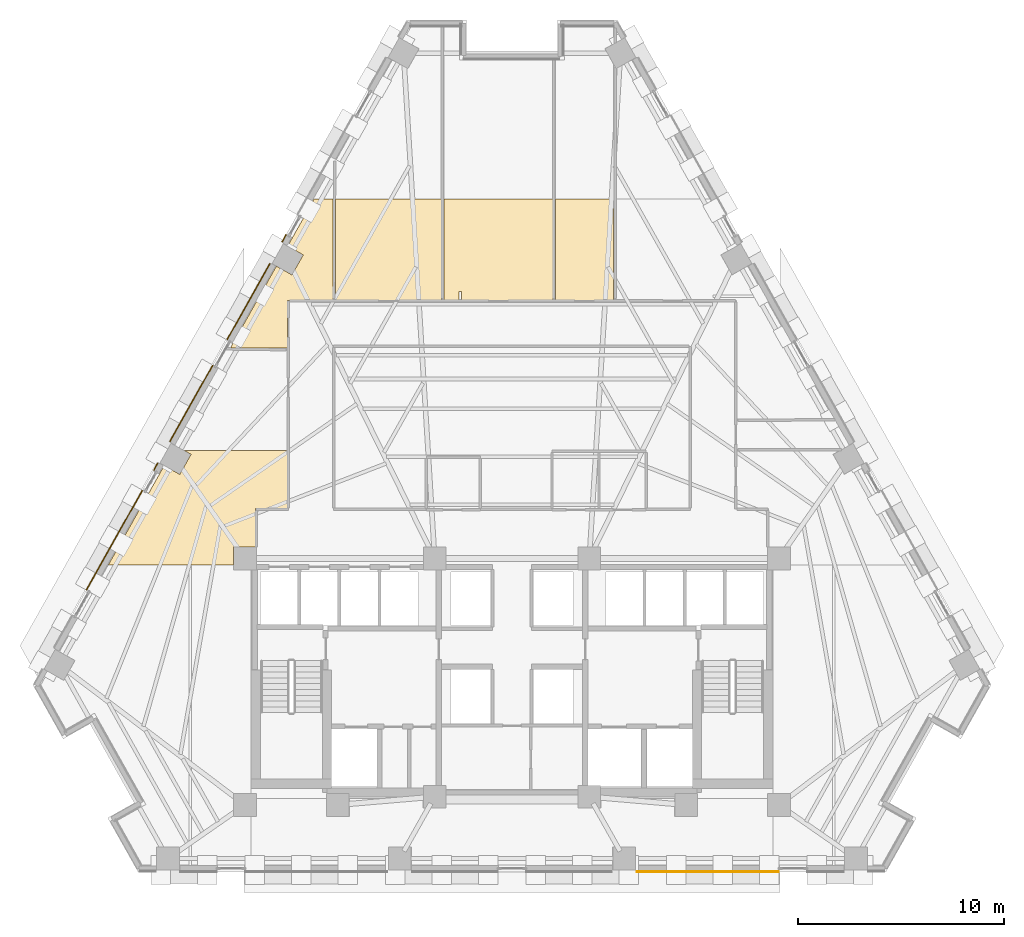
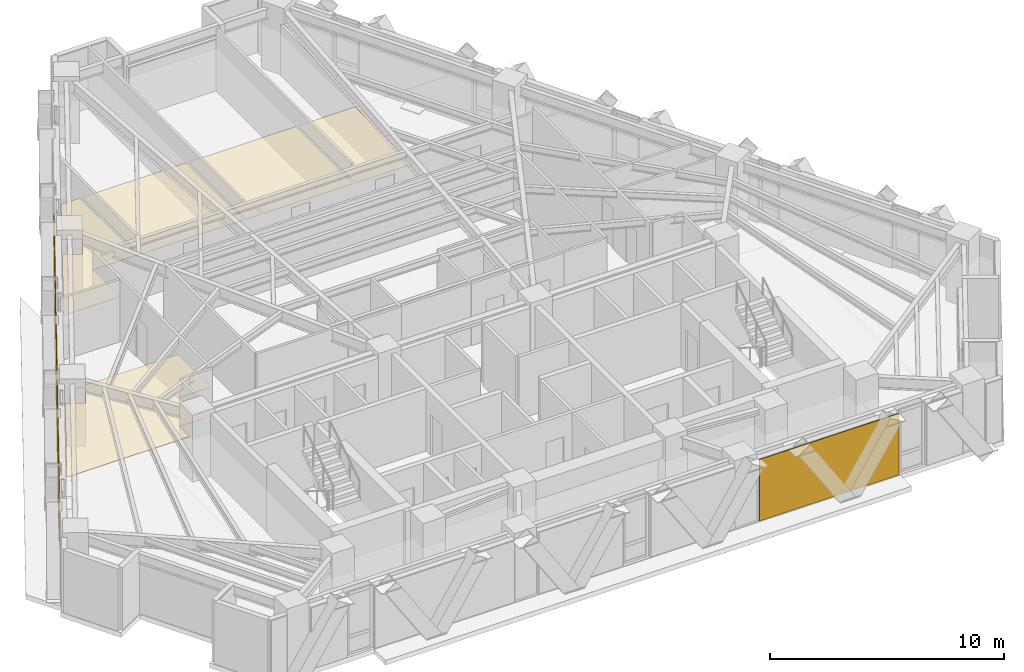
# One storey, part 11 of 13: 11 coverings.
"""IFC4 building model written with IfcOpenShell, lengths in metres."""

from ifc_helpers import new_model, si_unit, direction, frame, origin, place, context, subcontext, project, spatial, polyline, outline, extrude, material, layer, layer_set, type_object, element, save


model = new_model("IFC4")

# Units and contexts
model_context = context("Model", 3, precision=1e-05, world=origin(), true_north=direction((0.0, 1.0)))
body_context = subcontext(model_context, "Body", "Model", "MODEL_VIEW")
ifc_project = project(units=[si_unit("LENGTHUNIT", "METRE"), si_unit("AREAUNIT", "SQUARE_METRE"), si_unit("VOLUMEUNIT", "CUBIC_METRE"), si_unit("PLANEANGLEUNIT", "RADIAN"), si_unit("MASSUNIT", "GRAM", prefix="KILO")], contexts=[model_context])

# Site, building, storey
site_placement = place(None, origin())
site = spatial("IfcSite", under=ifc_project, at=site_placement, CompositionType="ELEMENT")
building_placement = place(site_placement, origin())
building = spatial("IfcBuilding", under=site, at=building_placement, Name="Quenlor Broadcast Tower", CompositionType="ELEMENT")
storey_placement = place(building_placement, frame((0.0, 0.0, 76.60009765625)))
storey = spatial("IfcBuildingStorey", under=building, at=storey_placement, Name="L20", CompositionType="ELEMENT", Elevation=76.60009765625)

# Coverings
ifc_material_1 = material(Name="Acoustic Mineral Fibre Board", Category="other")
ifc_layer_1 = layer(ifc_material_1, 0.02490234375)
ifc_layer_set_1 = layer_set([ifc_layer_1], Name="Acoustic Perforated Mineral Tile Ceiling 25")
covering_type_1 = type_object("IfcCoveringType", Name="Acoustic Perforated Mineral Tile Ceiling 25", PredefinedType="CEILING", material=ifc_layer_set_1)
covering_1_placement = place(storey_placement, frame((0.0, 0.0, 2.224853515625)))
element("IfcCovering", 1, at=covering_1_placement, inside=storey, type_object=covering_type_1, Name="L20 Acoustic Ceiling L20-31", PredefinedType="CEILING", context=body_context, shape_type="SweptSolid", body=[
    extrude(outline(polyline([(4.919921875, 7.72998046875), (2.103759765625, 7.72998046875), (2.103759765625, 12.64990234375), (4.919921875, 12.64990234375), (4.919921875, 7.72998046875)])), origin(), (0.0, 0.0, 1.0), 0.025146484375),
])
covering_2_placement = place(storey_placement, frame((0.0, 0.0, 2.224853515625)))
element("IfcCovering", 2, at=covering_2_placement, inside=storey, type_object=covering_type_1, Name="L20 Acoustic Ceiling L20-32", PredefinedType="CEILING", context=body_context, shape_type="SweptSolid", body=[
    extrude(outline(polyline([(-2.56005859375, 7.72998046875), (-3.31005859375, 7.72998046875), (-3.31005859375, 12.64990234375), (1.98388671875, 12.64990234375), (1.98388671875, 7.72998046875), (-2.43994140625, 7.72998046875), (-2.43994140625, 8.14990234375), (-2.56005859375, 8.14990234375), (-2.56005859375, 7.72998046875)])), origin(), (0.0, 0.0, 1.0), 0.025146484375),
])
covering_3_placement = place(storey_placement, frame((0.0, 0.0, 2.224853515625)))
element("IfcCovering", 3, at=covering_3_placement, inside=storey, type_object=covering_type_1, Name="L20 Acoustic Ceiling L20-33", PredefinedType="CEILING", context=body_context, shape_type="SweptSolid", body=[
    extrude(outline(polyline([(-3.429931640625, 7.72998046875), (-8.56005859375, 7.72998046875), (-8.56005859375, 12.64990234375), (-3.429931640625, 12.64990234375), (-3.429931640625, 7.72998046875)])), origin(), (0.0, 0.0, 1.0), 0.025146484375),
])
covering_4_placement = place(storey_placement, frame((0.0, 0.0, 2.224853515625)))
element("IfcCovering", 4, at=covering_4_placement, inside=storey, type_object=covering_type_1, Name="L20 Acoustic Ceiling L20-35", PredefinedType="CEILING", context=body_context, shape_type="SweptSolid", body=[
    extrude(outline(polyline([(-10.8798828125, 5.409912109375), (-13.666748046875, 5.409912109375), (-11.4306640625, 9.38525390625), (-10.674072265625, 8.959716796875), (-10.126953125, 9.9326171875), (-10.883544921875, 10.35791015625), (-9.59423828125, 12.64990234375), (-8.679931640625, 12.64990234375), (-8.679931640625, 7.72998046875), (-10.8798828125, 7.72998046875), (-10.8798828125, 5.409912109375)])), origin(), (0.0, 0.0, 1.0), 0.025146484375),
])
covering_5_placement = place(storey_placement, frame((0.0, 0.0, 2.224853515625)))
element("IfcCovering", 5, at=covering_5_placement, inside=storey, type_object=covering_type_1, Name="L20 Acoustic Ceiling L20-38", PredefinedType="CEILING", context=body_context, shape_type="SweptSolid", body=[
    extrude(outline(polyline([(-16.873779296875, -0.29150390625), (-16.1171875, -0.717041015625), (-15.5703125, 0.255615234375), (-15.909423828125, 0.4462890625), (-10.8798828125, 0.4462890625), (-10.8798828125, -2.3701171875), (-12.43994140625, -2.3701171875), (-12.43994140625, -4.241943359375), (-13.508056640625, -4.241943359375), (-13.508056640625, -5.1201171875), (-15.5400390625, -5.1201171875), (-15.659912109375, -5.1201171875), (-19.58984375, -5.1201171875), (-16.873779296875, -0.29150390625)])), origin(), (0.0, 0.0, 1.0), 0.025146484375),
])
ifc_material_2 = material(Name="Architectural Terracotta Ceramic", Category="masonry")
ifc_layer_2 = layer(ifc_material_2, 0.044921875)
ifc_layer_set_2 = layer_set([ifc_layer_2], Name="Fluted Terracotta Rainscreen Cladding Panel")
covering_type_2 = type_object("IfcCoveringType", Name="Fluted Terracotta Rainscreen Cladding Panel", PredefinedType="CLADDING", material=ifc_layer_set_2)
covering_6_placement = place(storey_placement, frame((0.0, 0.0, 0.02001953125)))
element("IfcCovering", 6, at=covering_6_placement, inside=storey, type_object=covering_type_2, Name="L20 Terracotta Rainscreen Cladding L20-SA-SP2", PredefinedType="CLADDING", context=body_context, shape_type="SweptSolid", body=[
    extrude(outline(polyline([(12.94873046875, -19.971923828125), (6.048095703125, -19.971923828125), (6.048095703125, -20.01708984375), (12.94873046875, -20.01708984375), (12.94873046875, -19.971923828125)])), origin(), (0.0, 0.0, 1.0), 3.2099609375),
])
covering_7_placement = place(storey_placement, frame((0.0, 0.0, 0.02001953125)))
element("IfcCovering", 7, at=covering_7_placement, inside=storey, type_object=covering_type_2, Name="L20 Terracotta Rainscreen Cladding L20-NWA-SP2", PredefinedType="CLADDING", context=body_context, shape_type="SweptSolid", body=[
    extrude(outline(polyline([(-20.62744140625, -6.328369140625), (-17.912841796875, -1.502197265625), (-17.951904296875, -1.47998046875), (-20.666748046875, -6.306396484375), (-20.62744140625, -6.328369140625)])), origin(), (0.0, 0.0, 1.0), 3.2099609375),
])
covering_8_placement = place(storey_placement, frame((0.0, 0.0, 0.02001953125)))
element("IfcCovering", 8, at=covering_8_placement, inside=storey, type_object=covering_type_2, Name="L20 Terracotta Rainscreen Cladding L20-NWA-SP3", PredefinedType="CLADDING", context=body_context, shape_type="SweptSolid", body=[
    extrude(outline(polyline([(-17.36474609375, -0.528076171875), (-17.168701171875, -0.179443359375), (-17.2080078125, -0.157470703125), (-17.404052734375, -0.506103515625), (-17.36474609375, -0.528076171875)])), origin(), (0.0, 0.0, 1.0), 3.2099609375),
])
covering_9_placement = place(storey_placement, frame((0.0, 0.0, 0.02001953125)))
element("IfcCovering", 9, at=covering_9_placement, inside=storey, type_object=covering_type_2, Name="L20 Terracotta Rainscreen Cladding L20-NWC-SP1", PredefinedType="CLADDING", context=body_context, shape_type="SweptSolid", body=[
    extrude(outline(polyline([(-11.13232421875, 10.552001953125), (-10.936279296875, 10.900634765625), (-10.9755859375, 10.922607421875), (-11.171630859375, 10.57421875), (-11.13232421875, 10.552001953125)])), origin(), (0.0, 0.0, 1.0), 3.2099609375),
])
covering_10_placement = place(storey_placement, frame((0.0, 0.0, 0.02001953125)))
element("IfcCovering", 10, at=covering_10_placement, inside=storey, type_object=covering_type_2, Name="L20 Terracotta Rainscreen Cladding L20-NW-SP1", PredefinedType="CLADDING", context=body_context, shape_type="SweptSolid", body=[
    extrude(outline(polyline([(-16.577880859375, 0.870849609375), (-14.499755859375, 4.565673828125), (-14.538818359375, 4.587646484375), (-16.6171875, 0.892822265625), (-16.577880859375, 0.870849609375)])), origin(), (0.0, 0.0, 1.0), 3.2099609375),
])
covering_11_placement = place(storey_placement, frame((0.0, 0.0, 0.02001953125)))
element("IfcCovering", 11, at=covering_11_placement, inside=storey, type_object=covering_type_2, Name="L20 Terracotta Rainscreen Cladding L20-NW-SP2", PredefinedType="CLADDING", context=body_context, shape_type="SweptSolid", body=[
    extrude(outline(polyline([(-13.801513671875, 5.806884765625), (-11.72314453125, 9.501708984375), (-11.76220703125, 9.523681640625), (-13.8408203125, 5.8291015625), (-13.801513671875, 5.806884765625)])), origin(), (0.0, 0.0, 1.0), 3.2099609375),
])

save(model, "model.ifc")
